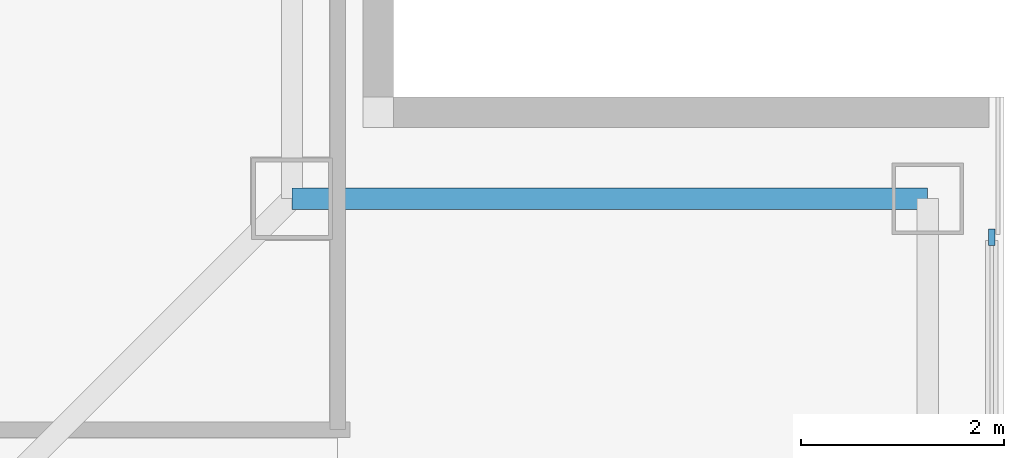
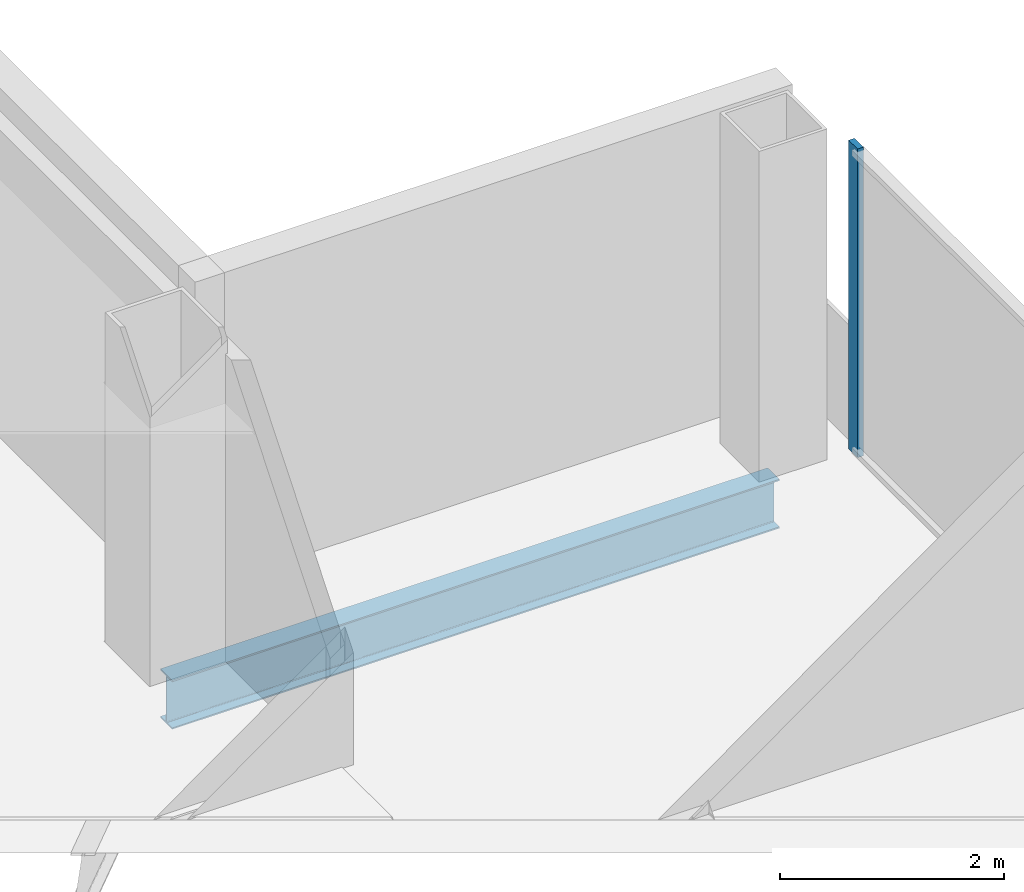
# One storey, part 6 of 15: 1 beam, 1 member, 1 element without a shape of its own.
"""IFC4 building model written with IfcOpenShell, lengths in metres."""

from ifc_helpers import new_model, si_unit, direction, frame, origin, origin_2d, place, context, subcontext, project, spatial, rectangle, i_section, extrude, material, layer, layer_set, material_profile, profile_set, type_object, element, aggregate, save


model = new_model("IFC4")

# Units and contexts
model_context = context("Model", 3, precision=1e-05, world=origin(), true_north=direction((0.0, 1.0)))
body_context = subcontext(model_context, "Body", "Model", "MODEL_VIEW")
ifc_project = project(units=[si_unit("LENGTHUNIT", "METRE"), si_unit("AREAUNIT", "SQUARE_METRE"), si_unit("VOLUMEUNIT", "CUBIC_METRE"), si_unit("PLANEANGLEUNIT", "RADIAN"), si_unit("MASSUNIT", "GRAM", prefix="KILO")], contexts=[model_context])

# Site, building, storey
site_placement = place(None, origin())
site = spatial("IfcSite", under=ifc_project, at=site_placement, CompositionType="ELEMENT")
building_placement = place(site_placement, origin())
building = spatial("IfcBuilding", under=site, at=building_placement, Name="Trevonay Congress Spire", CompositionType="ELEMENT")
storey_placement = place(building_placement, frame((0.0, 0.0, 275.60009765625)))
storey = spatial("IfcBuildingStorey", under=building, at=storey_placement, Name="L72", CompositionType="ELEMENT", Elevation=275.60009765625)

# Beam
ifc_material_1 = material(Name="Steel ASTM A572 Grade 50", Category="steel")
ifc_material_profile_1 = material_profile(ifc_material_1, i_section(OverallWidth=0.208984375, OverallDepth=0.532958984375, WebThickness=0.01025390625, FlangeThickness=0.015625, FilletRadius=0.014892578125, at=origin_2d()), Name="W530x92")
ifc_profile_set_1 = profile_set([ifc_material_profile_1], Name="Steel ASTM A572 Grade 50")
beam_type = type_object("IfcBeamType", Name="BM-RING-W530X92", PredefinedType="BEAM", material=ifc_profile_set_1)
beam_placement = place(storey_placement, frame((18.25, 12.0, -0.506591796875), z_axis=(-1.0, 0.0, 0.0), x_axis=(0.0, -1.0, 0.0)))
element("IfcBeam", 1, at=beam_placement, inside=storey, type_object=beam_type, Name="L72 structural beam BM-L72-N2NE", PredefinedType="BEAM", context=body_context, shape_type="SweptSolid", body=[
    extrude(i_section(OverallWidth=0.208984375, OverallDepth=0.532958984375, WebThickness=0.01025390625, FlangeThickness=0.015625, FilletRadius=0.014892578125, at=origin_2d()), origin(), (0.0, 0.0, 1.0), 6.25),
])

# Curtain wall, member
ifc_material_2 = material(Name="Pale Anodised Aluminium EN AW-6063-T6", Category="aluminium")
ifc_layer = layer(ifc_material_2, 0.1650390625, Name="Pale Anodised Aluminium EN AW-6063-T6")
ifc_layer_set = layer_set([ifc_layer], Name="Pale Anodised Aluminium EN AW-6063-T6")
curtain_wall_type = type_object("IfcCurtainWallType", Name="CW-SYS05-DIPLOM-PALE-METAL", PredefinedType="NOTDEFINED", material=ifc_layer_set)
curtain_wall_placement = place(storey_placement, origin())
curtain_wall = element("IfcCurtainWall", 2, at=curtain_wall_placement, inside=storey, type_object=curtain_wall_type, Name="L72 E unitised curtain wall", PredefinedType="NOTDEFINED")
ifc_material_profile_2 = material_profile(ifc_material_2, rectangle(XDim=0.06005859375, YDim=0.159912109375, at=origin_2d()), Name="CW-MULLION-160-ALUMINIUM")
ifc_profile_set_2 = profile_set([ifc_material_profile_2], Name="Pale Anodised Aluminium EN AW-6063-T6")
member_type = type_object("IfcMemberType", Name="CW-MULLION-160-ALUMINIUM", PredefinedType="MULLION", material=ifc_profile_set_2)
member_placement = place(storey_placement, frame((18.8798828125, 11.6201171875, 0.0), z_axis=(0.0, 0.0, 1.0), x_axis=(-1.0, 0.0, 0.0)))
member = element("IfcMember", 3, at=member_placement, type_object=member_type, Name="CW05 mullion 6", PredefinedType="MULLION", context=body_context, shape_type="SweptSolid", body=[
    extrude(rectangle(XDim=0.06005859375, YDim=0.159912109375, at=origin_2d()), origin(), (0.0, 0.0, 1.0), 3.35986328125),
])
aggregate(curtain_wall, [member])

save(model, "model.ifc")
